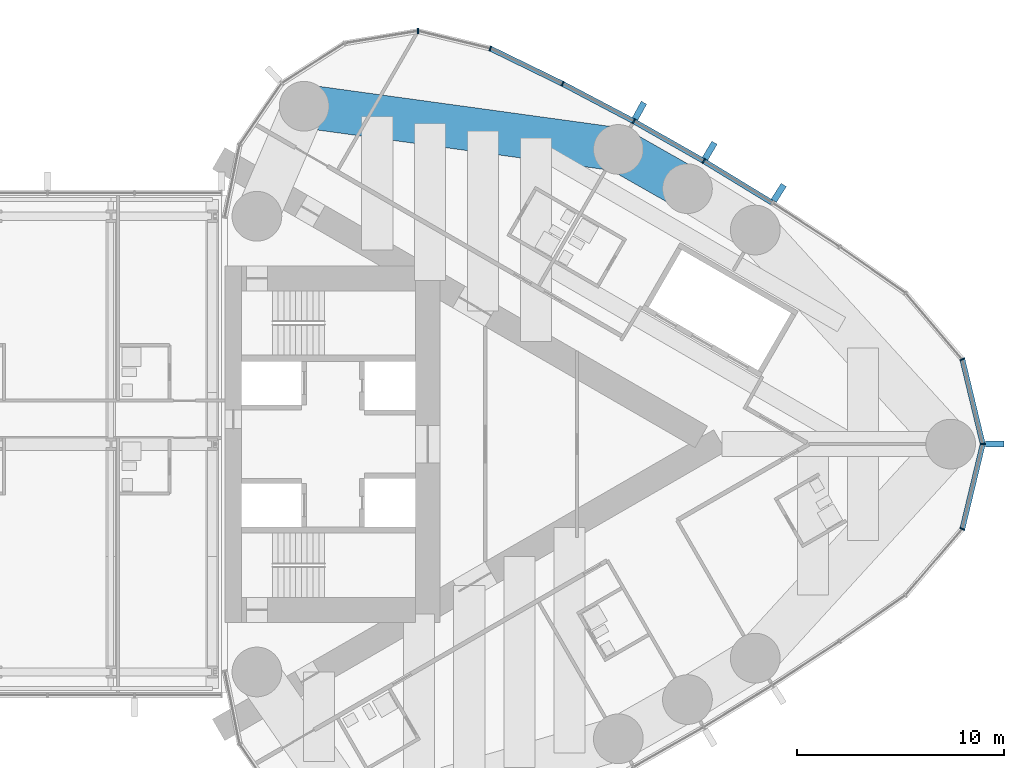
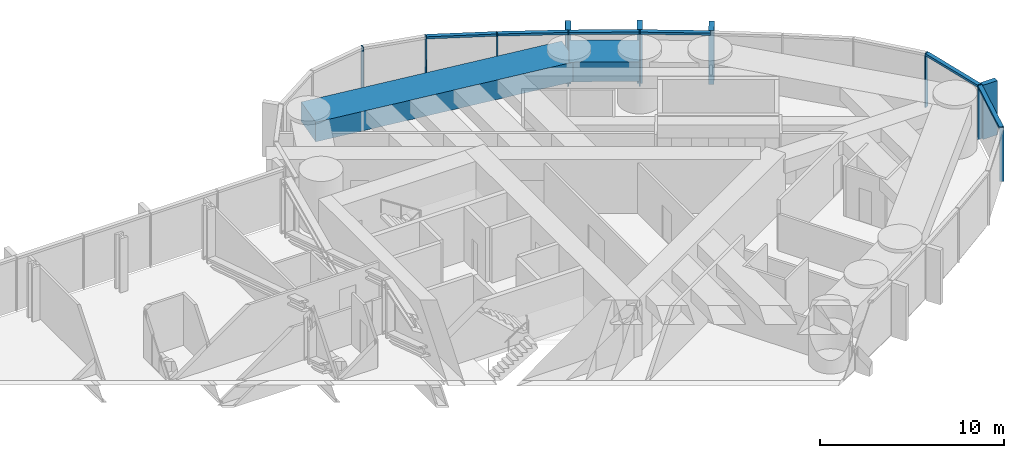
# One storey, part 11 of 22: 18 members, 2 beams, 1 element without a shape of its own.
"""IFC4 building model written with IfcOpenShell, lengths in metres."""

from ifc_helpers import new_model, si_unit, direction, frame, origin, origin_2d, place, context, subcontext, project, spatial, rectangle, extrude, material, material_profile, profile_set, type_object, element, aggregate, save


model = new_model("IFC4")

# Units and contexts
model_context = context("Model", 3, precision=1e-05, world=origin(), true_north=direction((0.0, 1.0)))
body_context = subcontext(model_context, "Body", "Model", "MODEL_VIEW")
ifc_project = project(units=[si_unit("LENGTHUNIT", "METRE"), si_unit("AREAUNIT", "SQUARE_METRE"), si_unit("VOLUMEUNIT", "CUBIC_METRE"), si_unit("PLANEANGLEUNIT", "RADIAN"), si_unit("MASSUNIT", "GRAM", prefix="KILO")], contexts=[model_context])

# Site, building, storey
site_placement = place(None, origin())
site = spatial("IfcSite", under=ifc_project, at=site_placement, CompositionType="ELEMENT")
building_placement = place(site_placement, origin())
building = spatial("IfcBuilding", under=site, at=building_placement, Name="Lancet Gate Hotel", CompositionType="ELEMENT")
storey_placement = place(building_placement, frame((0.0, 0.0, 226.10009765625)))
storey = spatial("IfcBuildingStorey", under=building, at=storey_placement, Name="L60", CompositionType="ELEMENT", Elevation=226.10009765625)

# Curtain wall, members
ifc_material_1 = material(Name="Aluminium curtain wall", Category="aluminium")
curtain_wall_type = type_object("IfcCurtainWallType", Name="Tower unitised curtain wall", PredefinedType="USERDEFINED", material=ifc_material_1)
curtain_wall_placement = place(storey_placement, origin())
curtain_wall = element("IfcCurtainWall", 1, at=curtain_wall_placement, inside=storey, type_object=curtain_wall_type, Name="T2 L60 curtain wall 1", ObjectType="UNITISED CURTAIN WALL", PredefinedType="USERDEFINED")
ifc_material_2 = material(Name="Aluminium mullion", Category="aluminium")
ifc_material_profile_1 = material_profile(ifc_material_2, rectangle(XDim=0.06494140625, YDim=0.25, at=origin_2d()), Name="MULLION 65x250")
ifc_profile_set_1 = profile_set([ifc_material_profile_1], Name="Aluminium mullion")
member_type_1 = type_object("IfcMemberType", Name="Aluminium mullion 65x250", PredefinedType="MULLION", material=ifc_profile_set_1)
member_1_placement = place(storey_placement, frame((63.1064453125, -4.09375, 0.0), z_axis=(0.0, 0.0, 1.0), x_axis=(0.454852851296, 0.890566608215, 0.0)))
member_1 = element("IfcMember", 2, at=member_1_placement, type_object=member_type_1, Name="T2 L60 curtain wall 1 mullion 13", PredefinedType="MULLION", context=body_context, shape_type="SweptSolid", body=[
    extrude(rectangle(XDim=0.06494140625, YDim=0.25, at=origin_2d()), origin(), (0.0, 0.0, 1.0), 3.599853515625),
])
member_2_placement = place(storey_placement, frame((64.09130859375, 0.0, 0.0), z_axis=(0.0, 0.0, 1.0), x_axis=(0.0, 1.0, 0.0)))
member_2 = element("IfcMember", 3, at=member_2_placement, type_object=member_type_1, Name="T2 L60 curtain wall 1 mullion 14", PredefinedType="MULLION", context=body_context, shape_type="SweptSolid", body=[
    extrude(rectangle(XDim=0.06494140625, YDim=0.25, at=origin_2d()), origin(), (0.0, 0.0, 1.0), 3.599853515625),
])
member_3_placement = place(storey_placement, frame((63.1064453125, 4.09375, 0.0), z_axis=(0.0, 0.0, 1.0), x_axis=(-0.454852851296, 0.890566608215, 0.0)))
member_3 = element("IfcMember", 4, at=member_3_placement, type_object=member_type_1, Name="T2 L60 curtain wall 1 mullion 15", PredefinedType="MULLION", context=body_context, shape_type="SweptSolid", body=[
    extrude(rectangle(XDim=0.06494140625, YDim=0.25, at=origin_2d()), origin(), (0.0, 0.0, 1.0), 3.599853515625),
])
member_4_placement = place(storey_placement, frame((50.62060546875, 13.667236328125, 0.0), z_axis=(0.0, 0.0, 1.0), x_axis=(-0.861691755738, 0.507432082247, 0.0)))
member_4 = element("IfcMember", 5, at=member_4_placement, type_object=member_type_1, Name="T2 L60 curtain wall 1 mullion 19", PredefinedType="MULLION", context=body_context, shape_type="SweptSolid", body=[
    extrude(rectangle(XDim=0.06494140625, YDim=0.25, at=origin_2d()), origin(), (0.0, 0.0, 1.0), 3.599853515625),
])
member_5_placement = place(storey_placement, frame((47.24365234375, 15.585205078125, 0.0), z_axis=(0.0, 0.0, 1.0), x_axis=(-0.877194589488, 0.480135035352, 0.0)))
member_5 = element("IfcMember", 6, at=member_5_placement, type_object=member_type_1, Name="T2 L60 curtain wall 1 mullion 20", PredefinedType="MULLION", context=body_context, shape_type="SweptSolid", body=[
    extrude(rectangle(XDim=0.06494140625, YDim=0.25, at=origin_2d()), origin(), (0.0, 0.0, 1.0), 3.599853515625),
])
member_6_placement = place(storey_placement, frame((43.80810546875, 17.396240234375, 0.0), z_axis=(0.0, 0.0, 1.0), x_axis=(-0.891832977257, 0.452364831389, 0.0)))
member_6 = element("IfcMember", 7, at=member_6_placement, type_object=member_type_1, Name="T2 L60 curtain wall 1 mullion 21", PredefinedType="MULLION", context=body_context, shape_type="SweptSolid", body=[
    extrude(rectangle(XDim=0.06494140625, YDim=0.25, at=origin_2d()), origin(), (0.0, 0.0, 1.0), 3.599853515625),
])
member_7_placement = place(storey_placement, frame((40.3173828125, 19.098388671875, 0.0), z_axis=(0.0, 0.0, 1.0), x_axis=(-0.939483740419, 0.342593493061, 0.0)))
member_7 = element("IfcMember", 8, at=member_7_placement, type_object=member_type_1, Name="T2 L60 curtain wall 1 mullion 22", PredefinedType="MULLION", context=body_context, shape_type="SweptSolid", body=[
    extrude(rectangle(XDim=0.06494140625, YDim=0.25, at=origin_2d()), origin(), (0.0, 0.0, 1.0), 3.599853515625),
])
member_8_placement = place(storey_placement, frame((36.826171875, 19.942138671875, 0.0), z_axis=(0.0, 0.0, 1.0), x_axis=(-0.999342744911, 0.03625021647, 0.0)))
member_8 = element("IfcMember", 9, at=member_8_placement, type_object=member_type_1, Name="T2 L60 curtain wall 1 mullion 23", PredefinedType="MULLION", context=body_context, shape_type="SweptSolid", body=[
    extrude(rectangle(XDim=0.06494140625, YDim=0.25, at=origin_2d()), origin(), (0.0, 0.0, 1.0), 3.599853515625),
])
ifc_material_3 = material(Name="Aluminium transom", Category="aluminium")
ifc_material_profile_2 = material_profile(ifc_material_3, rectangle(XDim=0.25, YDim=0.14990234375, at=origin_2d()), Name="TRANSOM 250x150")
ifc_profile_set_2 = profile_set([ifc_material_profile_2], Name="Aluminium transom")
member_type_2 = type_object("IfcMemberType", Name="Aluminium transom 250x150", PredefinedType="USERDEFINED", material=ifc_profile_set_2)
member_9_placement = place(storey_placement, frame((63.114013671875, -4.06201171875, 3.52490234375), z_axis=(0.233920855872, 0.972255641891, 0.0), x_axis=(-0.972255641891, 0.233920855872, 0.0)))
member_9 = element("IfcMember", 10, at=member_9_placement, type_object=member_type_2, Name="T2 L60 curtain wall 1 transom 13", ObjectType="TRANSOM", PredefinedType="USERDEFINED", context=body_context, shape_type="SweptSolid", body=[
    extrude(rectangle(XDim=0.25, YDim=0.14990234375, at=origin_2d()), origin(), (0.0, 0.0, 1.0), 4.1455078125),
])
member_10_placement = place(storey_placement, frame((64.083740234375, 0.031494140625, 3.52490234375), z_axis=(-0.233920855872, 0.972255641891, 0.0), x_axis=(-0.972255641891, -0.233920855872, 0.0)))
member_10 = element("IfcMember", 11, at=member_10_placement, type_object=member_type_2, Name="T2 L60 curtain wall 1 transom 14", ObjectType="TRANSOM", PredefinedType="USERDEFINED", context=body_context, shape_type="SweptSolid", body=[
    extrude(rectangle(XDim=0.25, YDim=0.14990234375, at=origin_2d()), origin(), (0.0, 0.0, 1.0), 4.1455078125),
])
member_11_placement = place(storey_placement, frame((53.907958984375, 11.661376953125, 3.52490234375), z_axis=(-0.853638798527, 0.520865435261, 0.0), x_axis=(-0.520865435261, -0.853638798527, 0.0)))
member_11 = element("IfcMember", 12, at=member_11_placement, type_object=member_type_2, Name="T2 L60 curtain wall 1 transom 18", ObjectType="TRANSOM", PredefinedType="USERDEFINED", context=body_context, shape_type="SweptSolid", body=[
    extrude(rectangle(XDim=0.25, YDim=0.14990234375, at=origin_2d()), origin(), (0.0, 0.0, 1.0), 3.818603515625),
])
member_12_placement = place(storey_placement, frame((50.59228515625, 13.683349609375, 3.52490234375), z_axis=(-0.869562011924, 0.493823761496, 0.0), x_axis=(-0.493823761496, -0.869562011924, 0.0)))
member_12 = element("IfcMember", 13, at=member_12_placement, type_object=member_type_2, Name="T2 L60 curtain wall 1 transom 19", ObjectType="TRANSOM", PredefinedType="USERDEFINED", context=body_context, shape_type="SweptSolid", body=[
    extrude(rectangle(XDim=0.25, YDim=0.14990234375, at=origin_2d()), origin(), (0.0, 0.0, 1.0), 3.818603515625),
])
member_13_placement = place(storey_placement, frame((47.21484375, 15.600341796875, 3.52490234375), z_axis=(-0.884618491031, 0.466315478325, 0.0), x_axis=(-0.466315478325, -0.884618491031, 0.0)))
member_13 = element("IfcMember", 14, at=member_13_placement, type_object=member_type_2, Name="T2 L60 curtain wall 1 transom 20", ObjectType="TRANSOM", PredefinedType="USERDEFINED", context=body_context, shape_type="SweptSolid", body=[
    extrude(rectangle(XDim=0.25, YDim=0.14990234375, at=origin_2d()), origin(), (0.0, 0.0, 1.0), 3.81884765625),
])
member_14_placement = place(storey_placement, frame((43.77880859375, 17.410400390625, 3.52490234375), z_axis=(-0.898820051991, 0.438317823206, 0.0), x_axis=(-0.438317823206, -0.898820051991, 0.0)))
member_14 = element("IfcMember", 15, at=member_14_placement, type_object=member_type_2, Name="T2 L60 curtain wall 1 transom 21", ObjectType="TRANSOM", PredefinedType="USERDEFINED", context=body_context, shape_type="SweptSolid", body=[
    extrude(rectangle(XDim=0.25, YDim=0.14990234375, at=origin_2d()), origin(), (0.0, 0.0, 1.0), 3.81884765625),
])

# Beams
ifc_material_4 = material(Name="Concrete C50/60", Category="concrete")
ifc_material_profile_3 = material_profile(ifc_material_4, rectangle(XDim=2.10009765625, YDim=1.300048828125, at=origin_2d()), Name="RC 2100x1300")
ifc_profile_set_3 = profile_set([ifc_material_profile_3], Name="Concrete C50/60")
beam_type = type_object("IfcBeamType", Name="Edge beam RC 2100x1300", PredefinedType="SPANDREL", material=ifc_profile_set_3)
beam_1_placement = place(storey_placement, frame((49.833984375, 12.331787109375, 2.699951171875), z_axis=(-0.869560321562, 0.493826738001, 0.0), x_axis=(-0.493826738001, -0.869560321562, 0.0)))
element("IfcBeam", 16, at=beam_1_placement, inside=storey, type_object=beam_type, Name="T2 edge beam EB1 L60", PredefinedType="SPANDREL", context=body_context, shape_type="SweptSolid", body=[
    extrude(rectangle(XDim=2.10009765625, YDim=1.300048828125, at=origin_2d()), origin(), (0.0, 0.0, 1.0), 3.8349609375),
])
beam_2_placement = place(storey_placement, frame((46.499267578125, 14.2255859375, 2.699951171875), z_axis=(-0.990685830783, 0.13616748762, 0.0), x_axis=(-0.13616748762, -0.990685830783, 0.0)))
element("IfcBeam", 17, at=beam_2_placement, inside=storey, type_object=beam_type, Name="T2 edge beam EB1 L60", PredefinedType="SPANDREL", context=body_context, shape_type="SweptSolid", body=[
    extrude(rectangle(XDim=2.10009765625, YDim=1.300048828125, at=origin_2d()), origin(), (0.0, 0.0, 1.0), 15.3134765625),
])

# Member
ifc_material_5 = material(Name="Precast concrete C50/60", Category="concrete")
ifc_material_profile_4 = material_profile(ifc_material_5, rectangle(XDim=0.300048828125, YDim=0.89990234375, at=origin_2d()), Name="FIN 300x900")
ifc_profile_set_4 = profile_set([ifc_material_profile_4], Name="Precast concrete C50/60")
member_type_3 = type_object("IfcMemberType", Name="Exposed concrete fin 300x900", PredefinedType="USERDEFINED", material=ifc_profile_set_4)
member_15_placement = place(storey_placement, frame((64.66650390625, 0.0, 0.0), z_axis=(0.0, 0.0, 1.0), x_axis=(0.0, 1.0, 0.0)))
member_15 = element("IfcMember", 18, at=member_15_placement, type_object=member_type_3, Name="T2 L60 curtain wall 1 fin 14", ObjectType="FIN", PredefinedType="USERDEFINED", context=body_context, shape_type="SweptSolid", body=[
    extrude(rectangle(XDim=0.300048828125, YDim=0.89990234375, at=origin_2d()), origin(), (0.0, 0.0, 1.0), 3.599853515625),
])

member_16_placement = place(storey_placement, frame((54.242919921875, 12.13037109375, 0.0), z_axis=(0.0, 0.0, 1.0), x_axis=(-0.845339753513, 0.534229071777, 0.0)))
member_16 = element("IfcMember", 19, at=member_16_placement, type_object=member_type_3, Name="T2 L60 curtain wall 1 fin 18", ObjectType="FIN", PredefinedType="USERDEFINED", context=body_context, shape_type="SweptSolid", body=[
    extrude(rectangle(XDim=0.300048828125, YDim=0.89990234375, at=origin_2d()), origin(), (0.0, 0.0, 1.0), 3.599853515625),
])

member_17_placement = place(storey_placement, frame((50.912353515625, 14.162841796875, 0.0), z_axis=(0.0, 0.0, 1.0), x_axis=(-0.861691755738, 0.507432082247, 0.0)))
member_17 = element("IfcMember", 20, at=member_17_placement, type_object=member_type_3, Name="T2 L60 curtain wall 1 fin 19", ObjectType="FIN", PredefinedType="USERDEFINED", context=body_context, shape_type="SweptSolid", body=[
    extrude(rectangle(XDim=0.300048828125, YDim=0.89990234375, at=origin_2d()), origin(), (0.0, 0.0, 1.0), 3.599853515625),
])

member_18_placement = place(storey_placement, frame((47.51953125, 16.089599609375, 0.0), z_axis=(0.0, 0.0, 1.0), x_axis=(-0.877194589488, 0.480135035352, 0.0)))
member_18 = element("IfcMember", 21, at=member_18_placement, type_object=member_type_3, Name="T2 L60 curtain wall 1 fin 20", ObjectType="FIN", PredefinedType="USERDEFINED", context=body_context, shape_type="SweptSolid", body=[
    extrude(rectangle(XDim=0.300048828125, YDim=0.89990234375, at=origin_2d()), origin(), (0.0, 0.0, 1.0), 3.599853515625),
])

aggregate(curtain_wall, [member_1, member_2, member_15, member_3, member_16, member_4, member_17, member_5, member_18, member_6, member_7, member_8, member_9, member_10, member_11, member_12, member_13, member_14])

save(model, "model.ifc")
